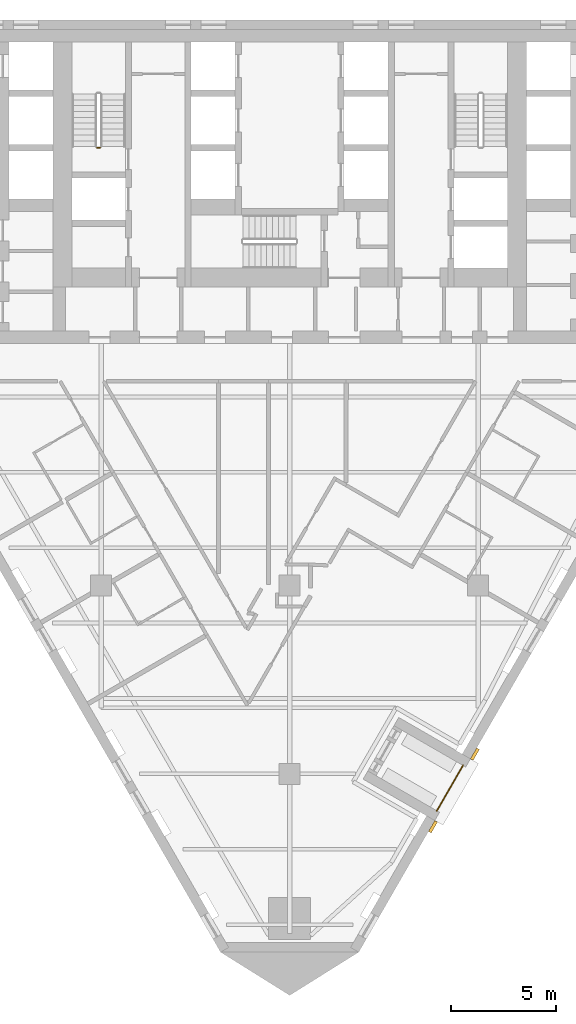
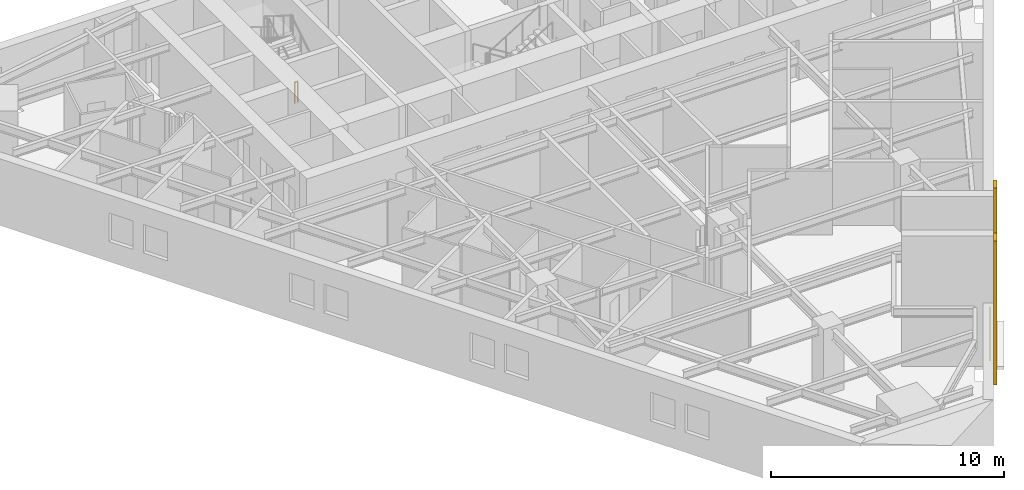
# One storey, part 10 of 11: 2 coverings, 2 railings.
"""IFC4 building model written with IfcOpenShell, lengths in metres."""

from ifc_helpers import new_model, si_unit, direction, frame, origin, origin_2d, place, context, subcontext, project, spatial, polyline, circle, outline, extrude, material, layer, layer_set, type_object, element, save


model = new_model("IFC4")

# Units and contexts
model_context = context("Model", 3, precision=1e-05, world=origin(), true_north=direction((0.0, 1.0)))
body_context = subcontext(model_context, "Body", "Model", "MODEL_VIEW")
ifc_project = project(units=[si_unit("LENGTHUNIT", "METRE"), si_unit("AREAUNIT", "SQUARE_METRE"), si_unit("VOLUMEUNIT", "CUBIC_METRE"), si_unit("PLANEANGLEUNIT", "RADIAN"), si_unit("MASSUNIT", "GRAM", prefix="KILO")], contexts=[model_context])

# Site, building, storey
site_placement = place(None, origin())
site = spatial("IfcSite", under=ifc_project, at=site_placement, CompositionType="ELEMENT")
building_placement = place(site_placement, origin())
building = spatial("IfcBuilding", under=site, at=building_placement, Name="Aloe Facet Convention Tower", CompositionType="ELEMENT")
storey_placement = place(building_placement, frame((0.0, 0.0, 66.5)))
storey = spatial("IfcBuildingStorey", under=building, at=storey_placement, Name="L15", CompositionType="ELEMENT", Elevation=66.5)

# Railing
ifc_material_1 = material(Name="Steel S355 balustrade", Category="steel")
railing_type_1 = type_object("IfcRailingType", Name="CR-RL-GUARD", PredefinedType="GUARDRAIL", material=ifc_material_1)
railing_1_placement = place(storey_placement, frame((70.949951171875, 128.89990234375, 0.0)))
element("IfcRailing", 1, at=railing_1_placement, inside=storey, type_object=railing_type_1, Name="L15 ST1 stair guard 4", PredefinedType="GUARDRAIL", context=body_context, shape_type="SweptSolid", body=[
    extrude(circle(Radius=0.02392578125, at=origin_2d()), frame((0.0, 0.0, 1.076171875), z_axis=(-1.0, 0.0, 0.0), x_axis=(0.0, -1.0, 0.0)), (0.0, 0.0, 1.0), 0.14990234375),
    extrude(circle(Radius=0.02099609375, at=origin_2d()), origin(), (0.0, 0.0, 1.0), 1.052001953125),
    extrude(circle(Radius=0.02099609375, at=origin_2d()), frame((-0.14990234375, 0.0, 0.0)), (0.0, 0.0, 1.0), 1.052001953125),
])

# Coverings
ifc_material_2 = material(Name="Bronze oxide fascia sheet")
ifc_layer = layer(ifc_material_2, 0.14990234375)
ifc_layer_set = layer_set([ifc_layer], Name="EV-FASCIA-TERR")
covering_type = type_object("IfcCoveringType", Name="EV-FASCIA-TERR", PredefinedType="CLADDING", material=ifc_layer_set)
covering_1_placement = place(storey_placement, frame((0.0, 0.0, -0.550048828125)))
element("IfcCovering", 2, at=covering_1_placement, inside=storey, type_object=covering_type, Name="Terrace frame T03 1", PredefinedType="CLADDING", context=body_context, shape_type="SweptSolid", body=[
    extrude(outline(polyline([(86.760009765625, 96.178955078125), (87.059814453125, 96.69873046875), (86.929931640625, 96.773681640625), (86.6298828125, 96.25390625), (86.760009765625, 96.178955078125)])), origin(), (0.0, 0.0, 1.0), 7.550048828125),
])
covering_2_placement = place(storey_placement, frame((0.0, 0.0, -0.550048828125)))
element("IfcCovering", 3, at=covering_2_placement, inside=storey, type_object=covering_type, Name="Terrace frame T03 2", PredefinedType="CLADDING", context=body_context, shape_type="SweptSolid", body=[
    extrude(outline(polyline([(88.760009765625, 99.64306640625), (89.059814453125, 100.162841796875), (88.929931640625, 100.23779296875), (88.6298828125, 99.718017578125), (88.760009765625, 99.64306640625)])), origin(), (0.0, 0.0, 1.0), 7.550048828125),
])

# Railing
ifc_material_3 = material(Name="Steel S355, bronze oxide finish", Category="steel")
railing_type_2 = type_object("IfcRailingType", Name="EV-GUARD-TERR", PredefinedType="GUARDRAIL", material=ifc_material_3)
railing_2_placement = place(storey_placement, frame((87.025146484375, 97.23828125, 0.0)))
element("IfcRailing", 4, at=railing_2_placement, inside=storey, type_object=railing_type_2, Name="GUARD T03", PredefinedType="GUARDRAIL", context=body_context, shape_type="SweptSolid", body=[
    extrude(circle(Radius=0.02392578125, at=origin_2d()), frame((0.0, 0.0, 1.076171875), z_axis=(0.500004234368, 0.866022959057, 0.0), x_axis=(-0.866022959057, 0.500004234368, 0.0)), (0.0, 0.0, 1.0), 2.5),
    extrude(circle(Radius=0.02099609375, at=origin_2d()), origin(), (0.0, 0.0, 1.0), 1.052001953125),
    extrude(circle(Radius=0.02099609375, at=origin_2d()), frame((0.416748046875, 0.7216796875, 0.0)), (0.0, 0.0, 1.0), 1.052001953125),
    extrude(circle(Radius=0.02099609375, at=origin_2d()), frame((0.833251953125, 1.443359375, 0.0)), (0.0, 0.0, 1.0), 1.052001953125),
    extrude(circle(Radius=0.02099609375, at=origin_2d()), frame((1.25, 2.1650390625, 0.0)), (0.0, 0.0, 1.0), 1.052001953125),
])

save(model, "model.ifc")
